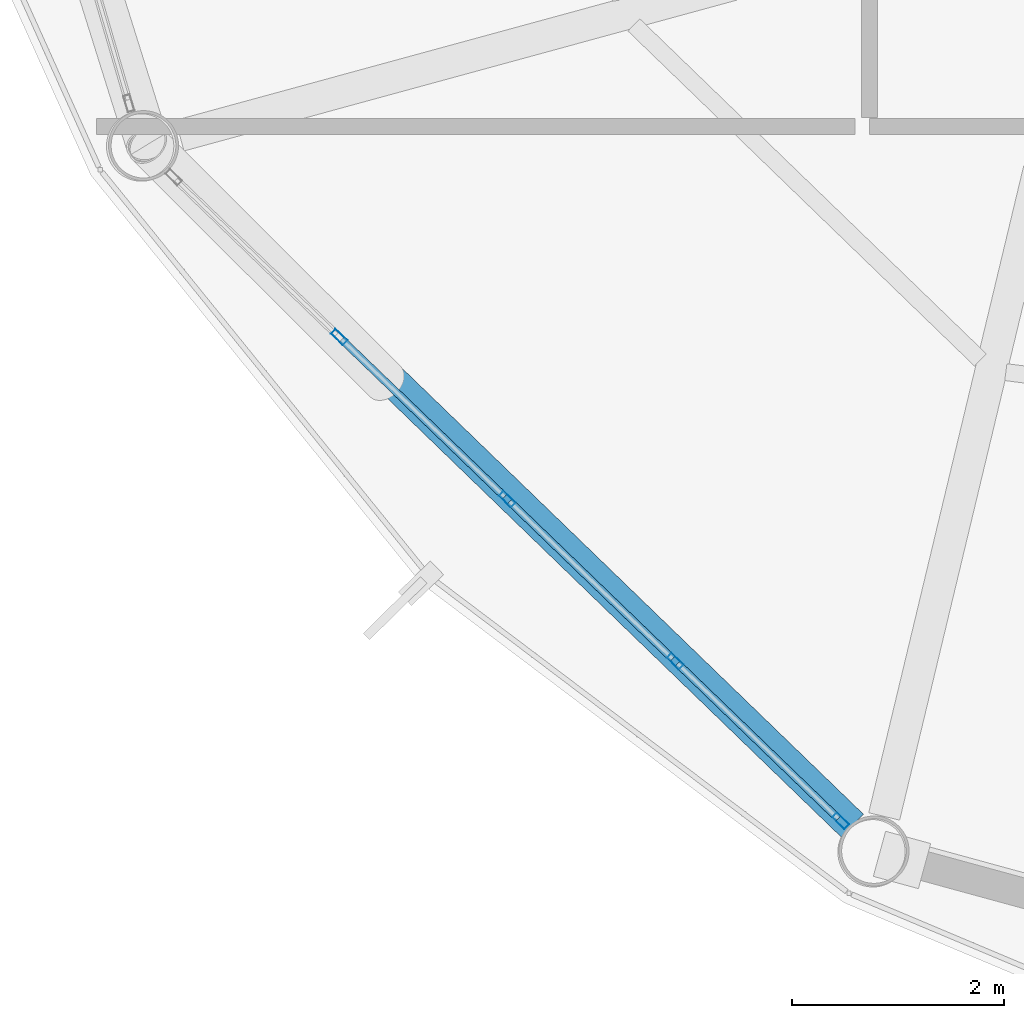
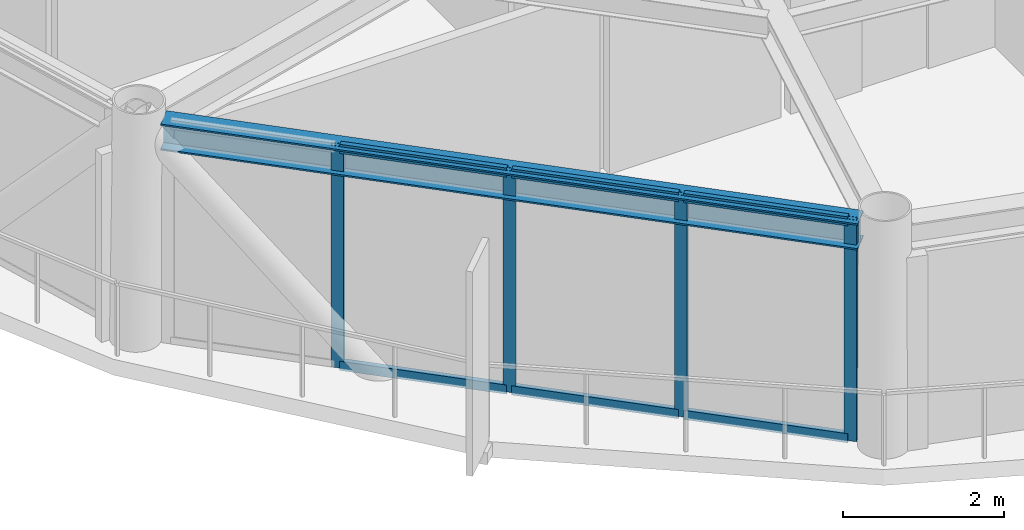
# One storey, part 2 of 26: 10 members, 1 beam, 1 element without a shape of its own.
"""IFC4 building model written with IfcOpenShell, lengths in metres."""

from ifc_helpers import new_model, si_unit, direction, frame, origin, origin_2d, place, context, subcontext, project, spatial, hollow_rectangle, i_section, extrude, material, layer, layer_set, material_profile, profile_set, type_object, element, aggregate, save


model = new_model("IFC4")

# Units and contexts
model_context = context("Model", 3, precision=1e-05, world=origin(), true_north=direction((0.0, 1.0)))
body_context = subcontext(model_context, "Body", "Model", "MODEL_VIEW")
ifc_project = project(units=[si_unit("LENGTHUNIT", "METRE"), si_unit("AREAUNIT", "SQUARE_METRE"), si_unit("VOLUMEUNIT", "CUBIC_METRE"), si_unit("PLANEANGLEUNIT", "RADIAN"), si_unit("MASSUNIT", "GRAM", prefix="KILO")], contexts=[model_context])

# Site, building, storey
site_placement = place(None, origin())
site = spatial("IfcSite", under=ifc_project, at=site_placement, CompositionType="ELEMENT")
building_placement = place(site_placement, origin())
building = spatial("IfcBuilding", under=site, at=building_placement, Name="Varnakorn Sky Granary", CompositionType="ELEMENT")
storey_placement = place(building_placement, frame((0.0, 0.0, 222.0)))
storey = spatial("IfcBuildingStorey", under=building, at=storey_placement, Name="L56", CompositionType="ELEMENT", Elevation=222.0)

# Beam
ifc_material_1 = material(Name="Steel S355JR", Category="steel")
ifc_material_profile_1 = material_profile(ifc_material_1, i_section(OverallWidth=0.300048828125, OverallDepth=0.39990234375, WebThickness=0.013427734375, FlangeThickness=0.02392578125, at=origin_2d()), Name="HE 400 B")
ifc_profile_set_1 = profile_set([ifc_material_profile_1], Name="Steel S355JR")
beam_type = type_object("IfcBeamType", Name="BM-SPD-Z4", PredefinedType="SPANDREL", material=ifc_profile_set_1)
beam_placement = place(storey_placement, frame((-11.17626953125, -9.289306640625, 3.159912109375), z_axis=(0.718987920349, -0.695022568261, 0.0), x_axis=(0.695022568261, 0.718987920349, 0.0)))
element("IfcBeam", 1, at=beam_placement, inside=storey, type_object=beam_type, Name="Perimeter Spandrel Ring Beam RB08 L56", PredefinedType="SPANDREL", context=body_context, shape_type="SweptSolid", body=[
    extrude(i_section(OverallWidth=0.300048828125, OverallDepth=0.39990234375, WebThickness=0.013427734375, FlangeThickness=0.02392578125, at=origin_2d()), origin(), (0.0, 0.0, 1.0), 8.924072265625),
])

# Curtain wall, members
ifc_material_2 = material(Name="Anodised Bronze Aluminium Alloy 6063-T6", Category="aluminium")
ifc_layer = layer(ifc_material_2, 0.169921875, Name="Anodised Bronze Aluminium Alloy 6063-T6")
ifc_layer_set = layer_set([ifc_layer], Name="Anodised Bronze Aluminium Alloy 6063-T6")
curtain_wall_type = type_object("IfcCurtainWallType", Name="CW-LAB-1", PredefinedType="USERDEFINED", material=ifc_layer_set)
curtain_wall_placement = place(storey_placement, origin())
curtain_wall = element("IfcCurtainWall", 2, at=curtain_wall_placement, inside=storey, type_object=curtain_wall_type, Name="Unitised Curtain Wall CW5 CW-L56-B08", ObjectType="CURTAIN WALL", PredefinedType="USERDEFINED")
ifc_material_profile_2 = material_profile(ifc_material_2, hollow_rectangle(XDim=0.06494140625, YDim=0.159912109375, WallThickness=0.00341796875, at=origin_2d()), Name="ALU MULL 65x160")
ifc_profile_set_2 = profile_set([ifc_material_profile_2], Name="Anodised Bronze Aluminium Alloy 6063-T6")
member_type_1 = type_object("IfcMemberType", Name="CW-LAB-1-MULL", PredefinedType="MULLION", material=ifc_profile_set_2)
member_1_placement = place(storey_placement, frame((-4.87109375, -15.446533203125, 0.0), z_axis=(0.0, 0.0, 1.0), x_axis=(-0.694404067281, -0.719585291222, 0.0)))
member_1 = element("IfcMember", 3, at=member_1_placement, type_object=member_type_1, Name="CW5 mullion 1", PredefinedType="MULLION", context=body_context, shape_type="SweptSolid", body=[
    extrude(hollow_rectangle(XDim=0.06494140625, YDim=0.159912109375, WallThickness=0.00341796875, at=origin_2d()), origin(), (0.0, 0.0, 1.0), 3.360107421875),
])
member_2_placement = place(storey_placement, frame((-6.4306640625, -13.94140625, 0.0), z_axis=(0.0, 0.0, 1.0), x_axis=(-0.694404067281, -0.719585291222, 0.0)))
member_2 = element("IfcMember", 4, at=member_2_placement, type_object=member_type_1, Name="CW5 mullion 2", PredefinedType="MULLION", context=body_context, shape_type="SweptSolid", body=[
    extrude(hollow_rectangle(XDim=0.06494140625, YDim=0.159912109375, WallThickness=0.00341796875, at=origin_2d()), origin(), (0.0, 0.0, 1.0), 3.360107421875),
])
member_3_placement = place(storey_placement, frame((-8.013916015625, -12.413818359375, 0.0), z_axis=(0.0, 0.0, 1.0), x_axis=(-0.694404067281, -0.719585291222, 0.0)))
member_3 = element("IfcMember", 5, at=member_3_placement, type_object=member_type_1, Name="CW5 mullion 3", PredefinedType="MULLION", context=body_context, shape_type="SweptSolid", body=[
    extrude(hollow_rectangle(XDim=0.06494140625, YDim=0.159912109375, WallThickness=0.00341796875, at=origin_2d()), origin(), (0.0, 0.0, 1.0), 3.360107421875),
])
member_4_placement = place(storey_placement, frame((-9.596923828125, -10.885986328125, 0.0), z_axis=(0.0, 0.0, 1.0), x_axis=(-0.694404067281, -0.719585291222, 0.0)))
member_4 = element("IfcMember", 6, at=member_4_placement, type_object=member_type_1, Name="CW5 mullion 4", PredefinedType="MULLION", context=body_context, shape_type="SweptSolid", body=[
    extrude(hollow_rectangle(XDim=0.06494140625, YDim=0.159912109375, WallThickness=0.00341796875, at=origin_2d()), origin(), (0.0, 0.0, 1.0), 3.360107421875),
])
ifc_material_profile_3 = material_profile(ifc_material_2, hollow_rectangle(XDim=0.070068359375, YDim=0.139892578125, WallThickness=0.00341796875, at=origin_2d()), Name="ALU TRAN 70x140")
ifc_profile_set_3 = profile_set([ifc_material_profile_3], Name="Anodised Bronze Aluminium Alloy 6063-T6")
member_type_2 = type_object("IfcMemberType", Name="CW-LAB-1-TRAN", PredefinedType="USERDEFINED", material=ifc_profile_set_3)
member_5_placement = place(storey_placement, frame((-4.894287109375, -15.424072265625, 0.034912109375), z_axis=(-0.719593512887, 0.694395547372, 0.0), x_axis=(-0.694395547372, -0.719593512887, 0.0)))
member_5 = element("IfcMember", 7, at=member_5_placement, type_object=member_type_2, Name="CW5 transom 1.1", ObjectType="TRANSOM", PredefinedType="USERDEFINED", context=body_context, shape_type="SweptSolid", body=[
    extrude(hollow_rectangle(XDim=0.070068359375, YDim=0.139892578125, WallThickness=0.00341796875, at=origin_2d()), origin(), (0.0, 0.0, 1.0), 2.1025390625),
])
member_6_placement = place(storey_placement, frame((-4.894287109375, -15.424072265625, 3.324951171875), z_axis=(-0.719593512887, 0.694395547372, 0.0), x_axis=(-0.694395547372, -0.719593512887, 0.0)))
member_6 = element("IfcMember", 8, at=member_6_placement, type_object=member_type_2, Name="CW5 transom 1.2", ObjectType="TRANSOM", PredefinedType="USERDEFINED", context=body_context, shape_type="SweptSolid", body=[
    extrude(hollow_rectangle(XDim=0.070068359375, YDim=0.139892578125, WallThickness=0.00341796875, at=origin_2d()), origin(), (0.0, 0.0, 1.0), 2.1025390625),
])
member_7_placement = place(storey_placement, frame((-6.4541015625, -13.9189453125, 0.034912109375), z_axis=(-0.719572850606, 0.694416958801, 0.0), x_axis=(-0.694416958801, -0.719572850606, 0.0)))
member_7 = element("IfcMember", 9, at=member_7_placement, type_object=member_type_2, Name="CW5 transom 2.1", ObjectType="TRANSOM", PredefinedType="USERDEFINED", context=body_context, shape_type="SweptSolid", body=[
    extrude(hollow_rectangle(XDim=0.070068359375, YDim=0.139892578125, WallThickness=0.00341796875, at=origin_2d()), origin(), (0.0, 0.0, 1.0), 2.135009765625),
])
member_8_placement = place(storey_placement, frame((-6.4541015625, -13.9189453125, 3.324951171875), z_axis=(-0.719572850606, 0.694416958801, 0.0), x_axis=(-0.694416958801, -0.719572850606, 0.0)))
member_8 = element("IfcMember", 10, at=member_8_placement, type_object=member_type_2, Name="CW5 transom 2.2", ObjectType="TRANSOM", PredefinedType="USERDEFINED", context=body_context, shape_type="SweptSolid", body=[
    extrude(hollow_rectangle(XDim=0.070068359375, YDim=0.139892578125, WallThickness=0.00341796875, at=origin_2d()), origin(), (0.0, 0.0, 1.0), 2.135009765625),
])
member_9_placement = place(storey_placement, frame((-8.037353515625, -12.39111328125, 0.034912109375), z_axis=(-0.719574848382, 0.694414888648, 0.0), x_axis=(-0.694414888648, -0.719574848382, 0.0)))
member_9 = element("IfcMember", 11, at=member_9_placement, type_object=member_type_2, Name="CW5 transom 3.1", ObjectType="TRANSOM", PredefinedType="USERDEFINED", context=body_context, shape_type="SweptSolid", body=[
    extrude(hollow_rectangle(XDim=0.070068359375, YDim=0.139892578125, WallThickness=0.00341796875, at=origin_2d()), origin(), (0.0, 0.0, 1.0), 2.134765625),
])
member_10_placement = place(storey_placement, frame((-8.037353515625, -12.39111328125, 3.324951171875), z_axis=(-0.719574848382, 0.694414888648, 0.0), x_axis=(-0.694414888648, -0.719574848382, 0.0)))
member_10 = element("IfcMember", 12, at=member_10_placement, type_object=member_type_2, Name="CW5 transom 3.2", ObjectType="TRANSOM", PredefinedType="USERDEFINED", context=body_context, shape_type="SweptSolid", body=[
    extrude(hollow_rectangle(XDim=0.070068359375, YDim=0.139892578125, WallThickness=0.00341796875, at=origin_2d()), origin(), (0.0, 0.0, 1.0), 2.134765625),
])
aggregate(curtain_wall, [member_1, member_2, member_3, member_4, member_5, member_6, member_7, member_8, member_9, member_10])

save(model, "model.ifc")
